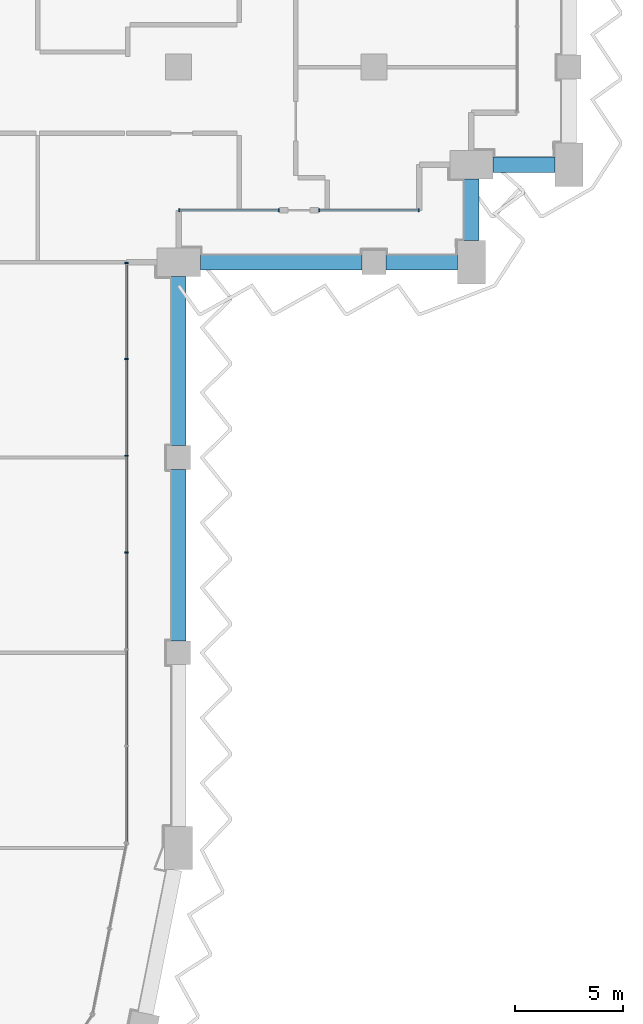
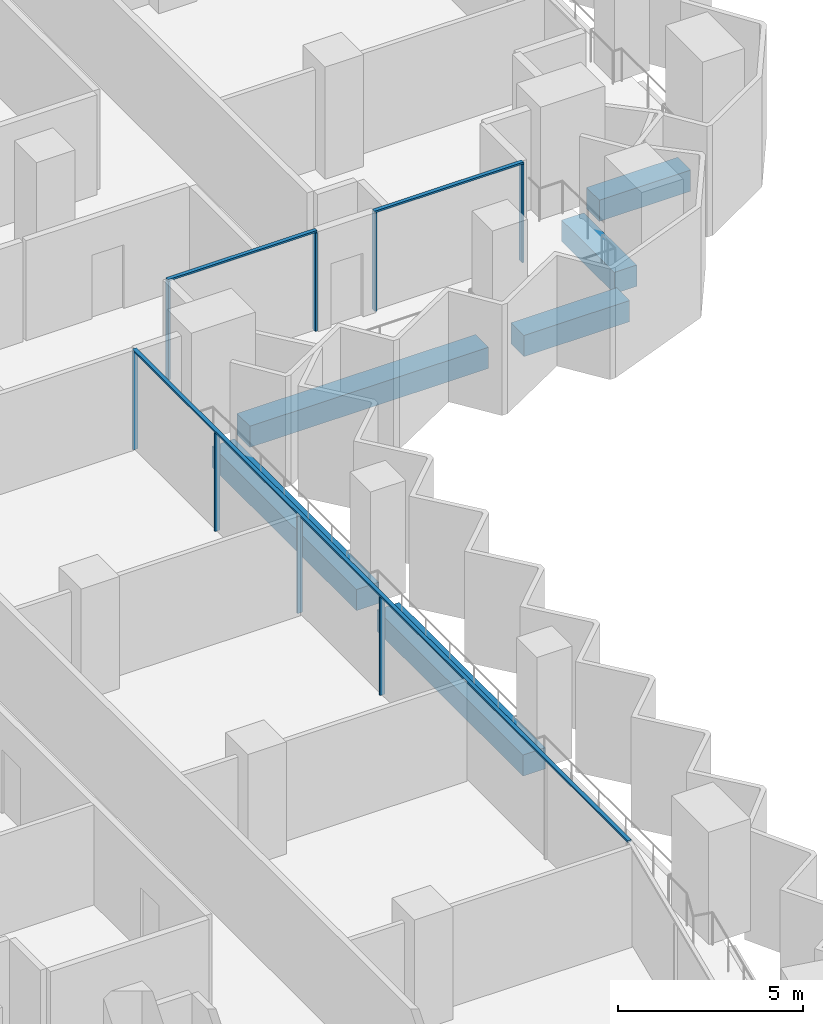
# One storey, part 5 of 23: 11 members, 6 beams, 3 elements without a shape of their own.
"""IFC4 building model written with IfcOpenShell, lengths in metres."""

from ifc_helpers import new_model, si_unit, direction, frame, origin, origin_2d, place, context, subcontext, project, spatial, rectangle, extrude, material, material_profile, profile_set, type_object, element, aggregate, save


model = new_model("IFC4")

# Units and contexts
model_context = context("Model", 3, precision=1e-05, world=origin(), true_north=direction((0.0, 1.0)))
body_context = subcontext(model_context, "Body", "Model", "MODEL_VIEW")
ifc_project = project(units=[si_unit("LENGTHUNIT", "METRE"), si_unit("AREAUNIT", "SQUARE_METRE"), si_unit("VOLUMEUNIT", "CUBIC_METRE"), si_unit("PLANEANGLEUNIT", "RADIAN"), si_unit("MASSUNIT", "GRAM", prefix="KILO")], contexts=[model_context])

# Site, building, storey
site_placement = place(None, origin())
site = spatial("IfcSite", under=ifc_project, at=site_placement, CompositionType="ELEMENT")
building_placement = place(site_placement, origin())
building = spatial("IfcBuilding", under=site, at=building_placement, Name="Hunhe Ridgeline Campus", CompositionType="ELEMENT")
storey_placement = place(building_placement, frame((0.0, 0.0, 170.800048828125)))
storey = spatial("IfcBuildingStorey", under=building, at=storey_placement, Name="L43", CompositionType="ELEMENT", Elevation=170.800048828125)

# Curtain wall, members
ifc_material_1 = material(Name="Aluminium 6063", Category="aluminium")
curtain_wall_type = type_object("IfcCurtainWallType", Name="Curtain wall CW-1", PredefinedType="NOTDEFINED", material=ifc_material_1)
curtain_wall_1_placement = place(storey_placement, origin())
curtain_wall_1 = element("IfcCurtainWall", 1, at=curtain_wall_1_placement, inside=storey, type_object=curtain_wall_type, Name="Curtain wall 11", PredefinedType="NOTDEFINED")
ifc_material_profile_1 = material_profile(ifc_material_1, rectangle(XDim=0.159912109375, YDim=0.06005859375, at=origin_2d()))
ifc_profile_set_1 = profile_set([ifc_material_profile_1], Name="Aluminium 6063")
member_type_1 = type_object("IfcMemberType", Name="CW-1 aluminium mullion", PredefinedType="MULLION", material=ifc_profile_set_1)
member_1_placement = place(storey_placement, frame((42.59912109375, 40.618408203125, 0.0), z_axis=(0.0, 0.0, 1.0), x_axis=(-0.99999999999, 4.408911e-06, 0.0)))
member_1 = element("IfcMember", 2, at=member_1_placement, type_object=member_type_1, Name="CW-1 mullion 4", PredefinedType="MULLION", context=body_context, shape_type="SweptSolid", body=[
    extrude(rectangle(XDim=0.159912109375, YDim=0.06005859375, at=origin_2d()), origin(), (0.0, 0.0, 1.0), 3.239990234375),
])
member_2_placement = place(storey_placement, frame((42.59912109375, 45.0791015625, 0.0), z_axis=(0.0, 0.0, 1.0), x_axis=(-0.99999999999, 4.408911e-06, 0.0)))
member_2 = element("IfcMember", 3, at=member_2_placement, type_object=member_type_1, Name="CW-1 mullion 5", PredefinedType="MULLION", context=body_context, shape_type="SweptSolid", body=[
    extrude(rectangle(XDim=0.159912109375, YDim=0.06005859375, at=origin_2d()), origin(), (0.0, 0.0, 1.0), 3.239990234375),
])
member_3_placement = place(storey_placement, frame((42.59912109375, 49.539794921875, 0.0), z_axis=(0.0, 0.0, 1.0), x_axis=(-0.99999999999, 4.408911e-06, 0.0)))
member_3 = element("IfcMember", 4, at=member_3_placement, type_object=member_type_1, Name="CW-1 mullion 6", PredefinedType="MULLION", context=body_context, shape_type="SweptSolid", body=[
    extrude(rectangle(XDim=0.159912109375, YDim=0.06005859375, at=origin_2d()), origin(), (0.0, 0.0, 1.0), 3.239990234375),
])
member_4_placement = place(storey_placement, frame((42.59912109375, 53.970458984375, 0.0), z_axis=(0.0, 0.0, 1.0), x_axis=(-0.99999999999, 4.408911e-06, 0.0)))
member_4 = element("IfcMember", 5, at=member_4_placement, type_object=member_type_1, Name="CW-1 mullion 7", PredefinedType="MULLION", context=body_context, shape_type="SweptSolid", body=[
    extrude(rectangle(XDim=0.159912109375, YDim=0.06005859375, at=origin_2d()), origin(), (0.0, 0.0, 1.0), 3.239990234375),
])

curtain_wall_2_placement = place(storey_placement, origin())
curtain_wall_2 = element("IfcCurtainWall", 6, at=curtain_wall_2_placement, inside=storey, type_object=curtain_wall_type, Name="Curtain wall 12", PredefinedType="NOTDEFINED")
member_5_placement = place(storey_placement, frame((45.02978515625, 56.40087890625, 0.0), z_axis=(0.0, 0.0, 1.0), x_axis=(-1.72058e-06, 0.999999999999, 0.0)))
member_5 = element("IfcMember", 7, at=member_5_placement, type_object=member_type_1, Name="CW-1 mullion 1", PredefinedType="MULLION", context=body_context, shape_type="SweptSolid", body=[
    extrude(rectangle(XDim=0.159912109375, YDim=0.06005859375, at=origin_2d()), origin(), (0.0, 0.0, 1.0), 3.239990234375),
])
member_6_placement = place(storey_placement, frame((49.619384765625, 56.40087890625, 0.0), z_axis=(0.0, 0.0, 1.0), x_axis=(-1.72058e-06, 0.999999999999, 0.0)))
member_6 = element("IfcMember", 8, at=member_6_placement, type_object=member_type_1, Name="CW-1 mullion 2", PredefinedType="MULLION", context=body_context, shape_type="SweptSolid", body=[
    extrude(rectangle(XDim=0.159912109375, YDim=0.06005859375, at=origin_2d()), origin(), (0.0, 0.0, 1.0), 3.239990234375),
])

curtain_wall_3_placement = place(storey_placement, origin())
curtain_wall_3 = element("IfcCurtainWall", 9, at=curtain_wall_3_placement, inside=storey, type_object=curtain_wall_type, Name="Curtain wall 13", PredefinedType="NOTDEFINED")
member_7_placement = place(storey_placement, frame((51.4794921875, 56.40087890625, 0.0), z_axis=(0.0, 0.0, 1.0), x_axis=(-1.72058e-06, 0.999999999999, 0.0)))
member_7 = element("IfcMember", 10, at=member_7_placement, type_object=member_type_1, Name="CW-1 mullion 1", PredefinedType="MULLION", context=body_context, shape_type="SweptSolid", body=[
    extrude(rectangle(XDim=0.159912109375, YDim=0.06005859375, at=origin_2d()), origin(), (0.0, 0.0, 1.0), 3.239990234375),
])
member_8_placement = place(storey_placement, frame((56.069091796875, 56.40087890625, 0.0), z_axis=(0.0, 0.0, 1.0), x_axis=(-1.72058e-06, 0.999999999999, 0.0)))
member_8 = element("IfcMember", 11, at=member_8_placement, type_object=member_type_1, Name="CW-1 mullion 2", PredefinedType="MULLION", context=body_context, shape_type="SweptSolid", body=[
    extrude(rectangle(XDim=0.159912109375, YDim=0.06005859375, at=origin_2d()), origin(), (0.0, 0.0, 1.0), 3.239990234375),
])

# Member
ifc_material_profile_2 = material_profile(ifc_material_1, rectangle(XDim=0.1201171875, YDim=0.06005859375, at=origin_2d()))
ifc_profile_set_2 = profile_set([ifc_material_profile_2], Name="Aluminium 6063")
member_type_2 = type_object("IfcMemberType", Name="CW-1 aluminium transom", PredefinedType="USERDEFINED", material=ifc_profile_set_2)
member_9_placement = place(storey_placement, frame((42.59912109375, 27.236572265625, 3.27001953125), z_axis=(0.0, 1.0, 0.0), x_axis=(-1.0, 0.0, 0.0)))
member_9 = element("IfcMember", 12, at=member_9_placement, type_object=member_type_2, Name="CW-1 transom 1", ObjectType="TRANSOM", PredefinedType="USERDEFINED", context=body_context, shape_type="SweptSolid", body=[
    extrude(rectangle(XDim=0.1201171875, YDim=0.06005859375, at=origin_2d()), origin(), (0.0, 0.0, 1.0), 26.763916015625),
])

aggregate(curtain_wall_1, [member_9, member_1, member_2, member_3, member_4])

member_10_placement = place(storey_placement, frame((44.999755859375, 56.40087890625, 3.27001953125), z_axis=(1.0, 0.0, 0.0), x_axis=(0.0, 1.0, 0.0)))
member_10 = element("IfcMember", 13, at=member_10_placement, type_object=member_type_2, Name="CW-1 transom 1", ObjectType="TRANSOM", PredefinedType="USERDEFINED", context=body_context, shape_type="SweptSolid", body=[
    extrude(rectangle(XDim=0.1201171875, YDim=0.06005859375, at=origin_2d()), origin(), (0.0, 0.0, 1.0), 4.649658203125),
])

aggregate(curtain_wall_2, [member_10, member_5, member_6])

member_11_placement = place(storey_placement, frame((51.449462890625, 56.40087890625, 3.27001953125), z_axis=(1.0, 0.0, 0.0), x_axis=(0.0, 1.0, 0.0)))
member_11 = element("IfcMember", 14, at=member_11_placement, type_object=member_type_2, Name="CW-1 transom 1", ObjectType="TRANSOM", PredefinedType="USERDEFINED", context=body_context, shape_type="SweptSolid", body=[
    extrude(rectangle(XDim=0.1201171875, YDim=0.06005859375, at=origin_2d()), origin(), (0.0, 0.0, 1.0), 4.649658203125),
])

aggregate(curtain_wall_3, [member_11, member_7, member_8])

# Beams
ifc_material_2 = material(Name="Concrete C60", Category="concrete")
ifc_material_profile_3 = material_profile(ifc_material_2, rectangle(XDim=0.699951171875, YDim=0.699951171875, at=origin_2d()))
ifc_profile_set_3 = profile_set([ifc_material_profile_3], Name="Concrete C60")
beam_type = type_object("IfcBeamType", Name="RC spandrel beam 700x700 Concrete C60", PredefinedType="SPANDREL", material=ifc_profile_set_3)
beam_1_placement = place(storey_placement, frame((45.0, 36.550048828125, -0.60009765625), z_axis=(0.0, 1.0, 0.0), x_axis=(-1.0, 0.0, 0.0)))
element("IfcBeam", 15, at=beam_1_placement, inside=storey, type_object=beam_type, Name="Spandrel beam B2-10 L43", PredefinedType="SPANDREL", context=body_context, shape_type="SweptSolid", body=[
    extrude(rectangle(XDim=0.699951171875, YDim=0.699951171875, at=origin_2d()), origin(), (0.0, 0.0, 1.0), 7.89990234375),
])
beam_2_placement = place(storey_placement, frame((45.0, 45.550048828125, -0.60009765625), z_axis=(0.0, 1.0, 0.0), x_axis=(-1.0, 0.0, 0.0)))
element("IfcBeam", 16, at=beam_2_placement, inside=storey, type_object=beam_type, Name="Spandrel beam B2-11 L43", PredefinedType="SPANDREL", context=body_context, shape_type="SweptSolid", body=[
    extrude(rectangle(XDim=0.699951171875, YDim=0.699951171875, at=origin_2d()), origin(), (0.0, 0.0, 1.0), 7.800048828125),
])
beam_3_placement = place(storey_placement, frame((46.0, 54.0, -0.60009765625), z_axis=(1.0, 0.0, 0.0), x_axis=(0.0, 1.0, 0.0)))
element("IfcBeam", 17, at=beam_3_placement, inside=storey, type_object=beam_type, Name="Spandrel beam B2-12 L43", PredefinedType="SPANDREL", context=body_context, shape_type="SweptSolid", body=[
    extrude(rectangle(XDim=0.699951171875, YDim=0.699951171875, at=origin_2d()), origin(), (0.0, 0.0, 1.0), 7.449951171875),
])
beam_4_placement = place(storey_placement, frame((54.550048828125, 54.0, -0.60009765625), z_axis=(1.0, 0.0, 0.0), x_axis=(0.0, 1.0, 0.0)))
element("IfcBeam", 18, at=beam_4_placement, inside=storey, type_object=beam_type, Name="Spandrel beam B2-13 L43", PredefinedType="SPANDREL", context=body_context, shape_type="SweptSolid", body=[
    extrude(rectangle(XDim=0.699951171875, YDim=0.699951171875, at=origin_2d()), origin(), (0.0, 0.0, 1.0), 3.300048828125),
])
for number, where, z_axis, x_axis, name in (
    (19, (58.5, 55.0, -0.60009765625), (0.0, 1.0, 0.0), (-1.0, 0.0, 0.0), "Spandrel beam B2-14 L43"),
    (20, (59.5, 58.5, -0.60009765625), (1.0, 0.0, 0.0), (0.0, 1.0, 0.0), "Spandrel beam B2-15 L43"),
):
    element("IfcBeam", number, at=place(storey_placement, frame(where, z_axis=z_axis, x_axis=x_axis)), inside=storey, type_object=beam_type, Name=name, PredefinedType="SPANDREL", context=body_context, shape_type="SweptSolid", body=[
        extrude(rectangle(XDim=0.699951171875, YDim=0.699951171875, at=origin_2d()), origin(), (0.0, 0.0, 1.0), 2.85009765625),
    ])

save(model, "model.ifc")
